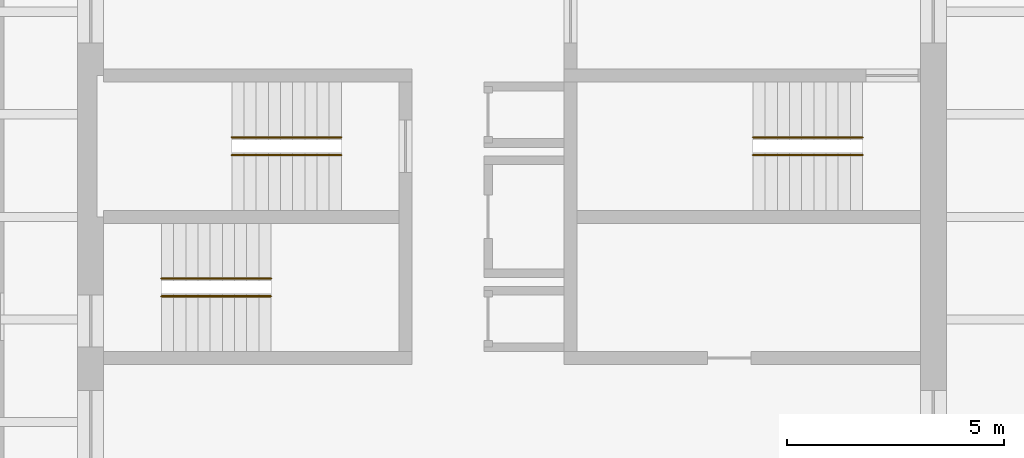
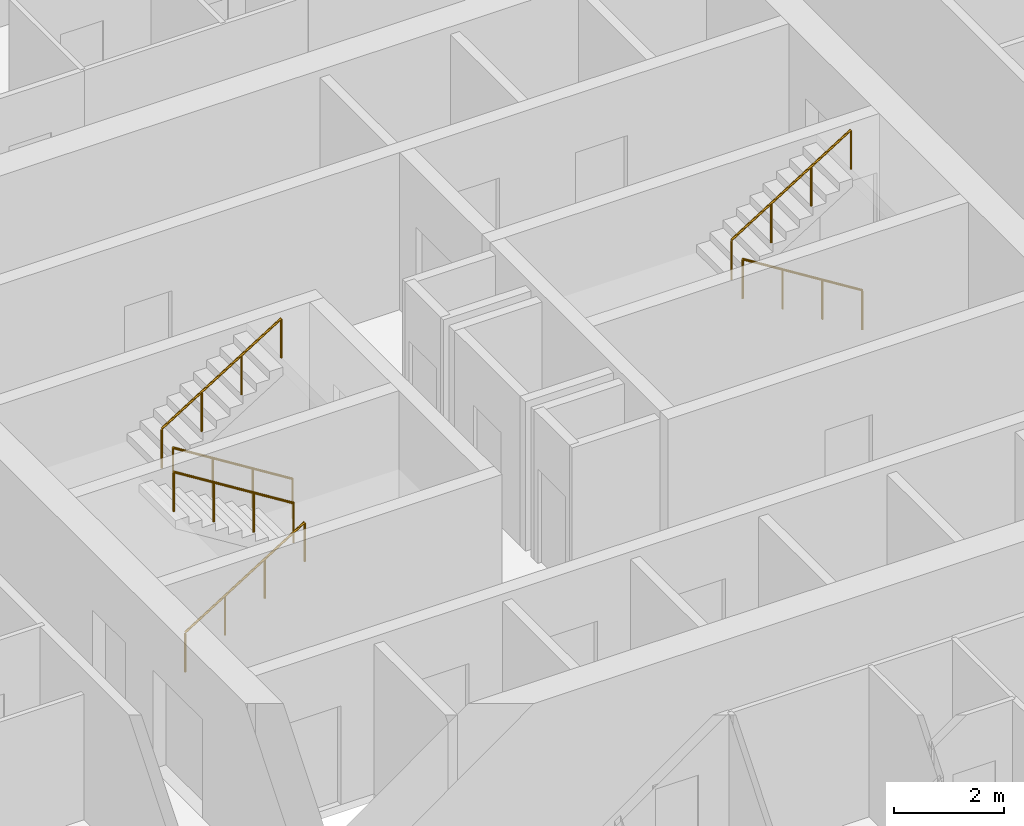
# One storey, part 17 of 17: 6 railings.
"""IFC4 building model written with IfcOpenShell, lengths in metres."""

from ifc_helpers import new_model, si_unit, direction, frame, origin, origin_2d, place, context, subcontext, project, spatial, circle, extrude, material, type_object, element, save


model = new_model("IFC4")

# Units and contexts
model_context = context("Model", 3, precision=1e-05, world=origin(), true_north=direction((0.0, 1.0)))
body_context = subcontext(model_context, "Body", "Model", "MODEL_VIEW")
ifc_project = project(units=[si_unit("LENGTHUNIT", "METRE"), si_unit("AREAUNIT", "SQUARE_METRE"), si_unit("VOLUMEUNIT", "CUBIC_METRE"), si_unit("PLANEANGLEUNIT", "RADIAN"), si_unit("MASSUNIT", "GRAM", prefix="KILO")], contexts=[model_context])

# Site, building, storey
site_placement = place(None, origin())
site = spatial("IfcSite", under=ifc_project, at=site_placement, CompositionType="ELEMENT")
building_placement = place(site_placement, origin())
building = spatial("IfcBuilding", under=site, at=building_placement, Name="Turquesa Mirador Hotel Tower", CompositionType="ELEMENT")
storey_placement = place(building_placement, frame((0.0, 0.0, 247.699951171875)))
storey = spatial("IfcBuildingStorey", under=building, at=storey_placement, Name="L67", CompositionType="ELEMENT", Elevation=247.699951171875)

# Railings
ifc_material = material(Name="Painted steel handrail", Category="steel")
railing_type = type_object("IfcRailingType", Name="HANDRAIL 900 STEEL", PredefinedType="HANDRAIL", material=ifc_material)
railing_1_placement = place(storey_placement, frame((51.070068359375, 46.419921875, 0.175048828125)))
element("IfcRailing", 1, at=railing_1_placement, inside=storey, type_object=railing_type, Name="Handrail ST1", PredefinedType="HANDRAIL", context=body_context, shape_type="SweptSolid", body=[
    extrude(circle(Radius=0.02392578125, at=origin_2d()), frame((0.0, 0.0, 0.8759765625), z_axis=(-0.848007534815, 0.0, 0.529984170421), x_axis=(0.0, -1.0, 0.0)), (0.0, 0.0, 1.0), 2.9716796875),
    extrude(circle(Radius=0.02099609375, at=origin_2d()), origin(), (0.0, 0.0, 1.0), 0.851806640625),
    extrude(circle(Radius=0.02099609375, at=origin_2d()), frame((-0.840087890625, 0.0, 0.52490234375)), (0.0, 0.0, 1.0), 0.851806640625),
    extrude(circle(Radius=0.02099609375, at=origin_2d()), frame((-1.679931640625, 0.0, 1.050048828125)), (0.0, 0.0, 1.0), 0.851806640625),
    extrude(circle(Radius=0.02099609375, at=origin_2d()), frame((-2.52001953125, 0.0, 1.574951171875)), (0.0, 0.0, 1.0), 0.851806640625),
])
for number, where, name in (
    (2, (48.550048828125, 46.830078125, 1.925048828125), "Handrail ST1"),
    (3, (46.929931640625, 43.169921875, 0.175048828125), "Handrail ST2"),
):
    element("IfcRailing", number, at=place(storey_placement, frame(where)), inside=storey, type_object=railing_type, Name=name, PredefinedType="HANDRAIL", context=body_context, shape_type="SweptSolid", body=[
        extrude(circle(Radius=0.02392578125, at=origin_2d()), frame((0.0, 0.0, 0.8759765625), z_axis=(0.848007534815, 0.0, 0.529984170421), x_axis=(0.0, 1.0, 0.0)), (0.0, 0.0, 1.0), 2.9716796875),
        extrude(circle(Radius=0.02099609375, at=origin_2d()), origin(), (0.0, 0.0, 1.0), 0.851806640625),
        extrude(circle(Radius=0.02099609375, at=origin_2d()), frame((0.840087890625, 0.0, 0.52490234375)), (0.0, 0.0, 1.0), 0.851806640625),
        extrude(circle(Radius=0.02099609375, at=origin_2d()), frame((1.679931640625, 0.0, 1.050048828125)), (0.0, 0.0, 1.0), 0.851806640625),
        extrude(circle(Radius=0.02099609375, at=origin_2d()), frame((2.52001953125, 0.0, 1.574951171875)), (0.0, 0.0, 1.0), 0.851806640625),
    ])
for number, where, name in (
    (4, (49.449951171875, 43.580078125, 1.925048828125), "Handrail ST2"),
    (5, (63.070068359375, 46.419921875, 0.175048828125), "Handrail ST3"),
):
    element("IfcRailing", number, at=place(storey_placement, frame(where)), inside=storey, type_object=railing_type, Name=name, PredefinedType="HANDRAIL", context=body_context, shape_type="SweptSolid", body=[
        extrude(circle(Radius=0.02392578125, at=origin_2d()), frame((0.0, 0.0, 0.8759765625), z_axis=(-0.848007534815, 0.0, 0.529984170421), x_axis=(0.0, -1.0, 0.0)), (0.0, 0.0, 1.0), 2.9716796875),
        extrude(circle(Radius=0.02099609375, at=origin_2d()), origin(), (0.0, 0.0, 1.0), 0.851806640625),
        extrude(circle(Radius=0.02099609375, at=origin_2d()), frame((-0.840087890625, 0.0, 0.52490234375)), (0.0, 0.0, 1.0), 0.851806640625),
        extrude(circle(Radius=0.02099609375, at=origin_2d()), frame((-1.679931640625, 0.0, 1.050048828125)), (0.0, 0.0, 1.0), 0.851806640625),
        extrude(circle(Radius=0.02099609375, at=origin_2d()), frame((-2.52001953125, 0.0, 1.574951171875)), (0.0, 0.0, 1.0), 0.851806640625),
    ])
railing_2_placement = place(storey_placement, frame((60.550048828125, 46.830078125, 1.925048828125)))
element("IfcRailing", 6, at=railing_2_placement, inside=storey, type_object=railing_type, Name="Handrail ST3", PredefinedType="HANDRAIL", context=body_context, shape_type="SweptSolid", body=[
    extrude(circle(Radius=0.02392578125, at=origin_2d()), frame((0.0, 0.0, 0.8759765625), z_axis=(0.848007534815, 0.0, 0.529984170421), x_axis=(0.0, 1.0, 0.0)), (0.0, 0.0, 1.0), 2.9716796875),
    extrude(circle(Radius=0.02099609375, at=origin_2d()), origin(), (0.0, 0.0, 1.0), 0.851806640625),
    extrude(circle(Radius=0.02099609375, at=origin_2d()), frame((0.840087890625, 0.0, 0.52490234375)), (0.0, 0.0, 1.0), 0.851806640625),
    extrude(circle(Radius=0.02099609375, at=origin_2d()), frame((1.679931640625, 0.0, 1.050048828125)), (0.0, 0.0, 1.0), 0.851806640625),
    extrude(circle(Radius=0.02099609375, at=origin_2d()), frame((2.52001953125, 0.0, 1.574951171875)), (0.0, 0.0, 1.0), 0.851806640625),
])

save(model, "model.ifc")
